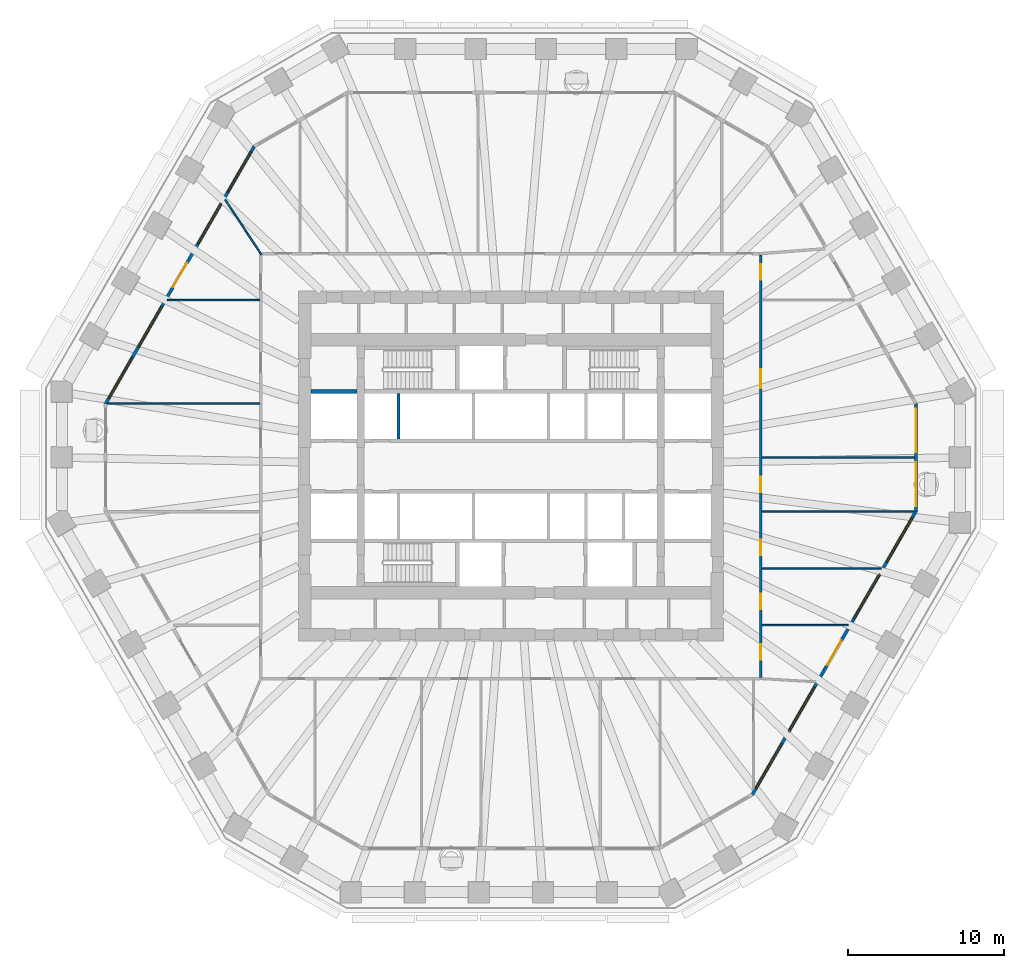
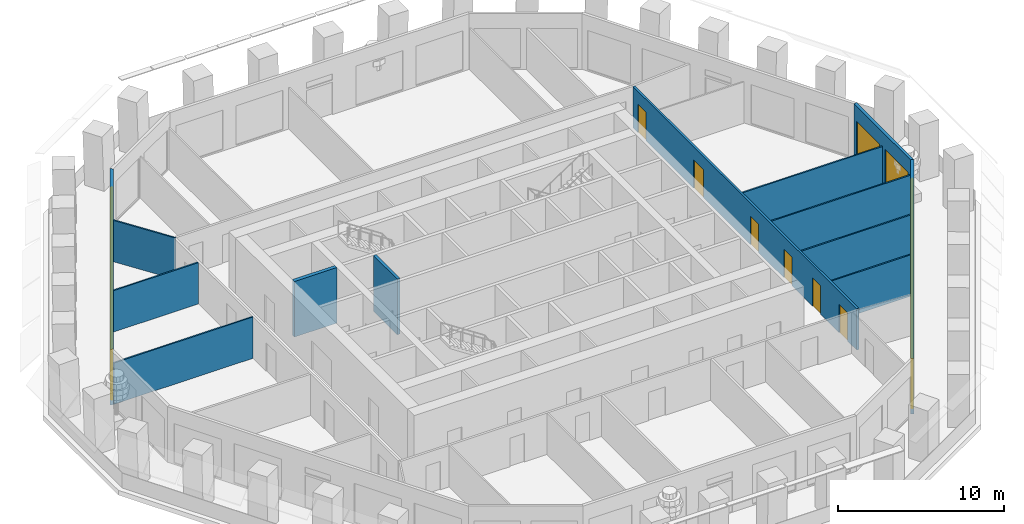
# One storey, part 6 of 13: 13 walls, 12 windows, 8 doors, 20 openings.
"""IFC4 building model written with IfcOpenShell, lengths in metres."""

import ifcopenshell
import ifcopenshell.guid

model = None  # the IFC model being written
_history = None  # IfcOwnerHistory: only IFC2X3 demands one
_inside = {}  # id of a spatial element -> (the spatial element, [elements in it])
_under = {}  # id of a project, library or spatial element -> (it, [spatial elements below it])
_declared = {}  # id of a project -> (the project, [libraries it declares])
_typed = {}  # id of a type object -> (the type object, [elements of that type])
_made_of = {}  # id of a material, layer set ... -> (it, [elements and type objects made of it])


def new_model(schema):
    """Start an empty IFC model of exactly this schema.

    Asked for "IFC4X3", IfcOpenShell would pick the latest addendum, in which some entities
    have other attributes; the version numbers below select the first issue.
    IFC2X3 requires an IfcOwnerHistory on every rooted entity: one is made here for all.
    """
    global model, _history
    if schema == "IFC4X3":
        model = ifcopenshell.file(schema_version=(4, 3, 0, 0))
    else:
        model = ifcopenshell.file(schema=schema)
    _inside.clear()
    _under.clear()
    _declared.clear()
    _typed.clear()
    _made_of.clear()
    _history = None
    if model.schema == "IFC2X3":
        org = make("IfcOrganization", Name="unknown")
        user = make(
            "IfcPersonAndOrganization",
            ThePerson=make("IfcPerson", FamilyName="unknown"),
            TheOrganization=org,
        )
        app = make(
            "IfcApplication",
            ApplicationDeveloper=org,
            Version="unknown",
            ApplicationFullName="unknown",
            ApplicationIdentifier="unknown",
        )
        _history = make(
            "IfcOwnerHistory",
            OwningUser=user,
            OwningApplication=app,
            ChangeAction="ADDED",
            CreationDate=0,
        )
    return model


def make(cls, **values):
    """One entity of the class cls with the attributes given. An attribute that is None is left unset."""
    return model.create_entity(
        cls, **{name: value for name, value in values.items() if value is not None}
    )


def rooted(cls, **values):
    """An entity with a GlobalId (a new one), such as an element, a storey or a relation."""
    return make(cls, GlobalId=ifcopenshell.guid.new(), OwnerHistory=_history, **values)


def si_unit(unit_type, name, prefix=None):
    """IfcSIUnit, for example si_unit("LENGTHUNIT", "METRE", prefix="MILLI")."""
    return make("IfcSIUnit", UnitType=unit_type, Prefix=prefix, Name=name)


def assignment(units):
    """IfcUnitAssignment: the units of a project."""
    return None if units is None else make("IfcUnitAssignment", Units=units)


def point(xyz):
    """IfcCartesianPoint."""
    return None if xyz is None else make("IfcCartesianPoint", Coordinates=xyz)


def direction(xyz):
    """IfcDirection."""
    return None if xyz is None else make("IfcDirection", DirectionRatios=xyz)


def frame(location, z_axis=None, x_axis=None):
    """IfcAxis2Placement3D, a coordinate frame: its origin and axes. An axis left out is left unset."""
    return make(
        "IfcAxis2Placement3D",
        Location=point(location),
        Axis=direction(z_axis),
        RefDirection=direction(x_axis),
    )


def frame_2d(location, x_axis=None):
    """IfcAxis2Placement2D, a coordinate frame in the plane: its origin and x axis."""
    return make(
        "IfcAxis2Placement2D", Location=point(location), RefDirection=direction(x_axis)
    )


def origin():
    """The frame at (0, 0, 0) with its axes left unset."""
    return frame((0.0, 0.0, 0.0))


def place(relative_to, where):
    """IfcLocalPlacement: puts the frame where relative to a parent placement (None: the world)."""
    return make(
        "IfcLocalPlacement", PlacementRelTo=relative_to, RelativePlacement=where
    )


def context(
    kind, dimensions, precision=None, world=None, true_north=None, identifier=None
):
    """IfcGeometricRepresentationContext, for example the 3D "Model" context."""
    return make(
        "IfcGeometricRepresentationContext",
        ContextIdentifier=identifier,
        ContextType=kind,
        CoordinateSpaceDimension=dimensions,
        Precision=precision,
        WorldCoordinateSystem=world,
        TrueNorth=true_north,
    )


def subcontext(parent, identifier, kind, view, scale=None):
    """IfcGeometricRepresentationSubContext, for example "Body" below "Model"."""
    return make(
        "IfcGeometricRepresentationSubContext",
        ContextIdentifier=identifier,
        ContextType=kind,
        ParentContext=parent,
        TargetScale=scale,
        TargetView=view,
    )


def project(units=None, contexts=None):
    """IfcProject with its units and contexts."""
    return rooted(
        "IfcProject",
        Name="project",
        RepresentationContexts=contexts,
        UnitsInContext=assignment(units),
    )


def spatial(cls, under=None, at=None, **own):
    """A site, building, storey or space (cls), placed at a placement, below another one or the project."""
    s = rooted(cls, ObjectPlacement=at, **own)
    if under is not None:
        _under.setdefault(under.id(), (under, []))[1].append(s)
    return s


def polyline(points):
    """IfcPolyline through the points."""
    return make("IfcPolyline", Points=[point(p) for p in points])


def profile(cls, at=None, kind="AREA", **sizes):
    """A parametric profile (cls). Its sizes go by their IFC names, for example OverallWidth=200.0."""
    return make(cls, ProfileType=kind, Position=at, **sizes)


def rectangle(**sizes):
    """IfcRectangleProfileDef."""
    return profile("IfcRectangleProfileDef", **sizes)


def outline(outer, holes=None, kind="AREA"):
    """IfcArbitraryClosedProfileDef: a profile drawn as a closed curve; with holes, ...WithVoids."""
    if holes is None:
        return make("IfcArbitraryClosedProfileDef", ProfileType=kind, OuterCurve=outer)
    return make(
        "IfcArbitraryProfileDefWithVoids",
        ProfileType=kind,
        OuterCurve=outer,
        InnerCurves=holes,
    )


def extrude(swept, where, along, depth):
    """IfcExtrudedAreaSolid: the profile swept, set in the frame where, extruded along a direction by depth."""
    return make(
        "IfcExtrudedAreaSolid",
        SweptArea=swept,
        Position=where,
        ExtrudedDirection=direction(along),
        Depth=depth,
    )


def shape(context_of_items, identifier, shape_type, items):
    """IfcShapeRepresentation: the items that make up one representation, for example the "Body"."""
    return make(
        "IfcShapeRepresentation",
        ContextOfItems=context_of_items,
        RepresentationIdentifier=identifier,
        RepresentationType=shape_type,
        Items=items,
    )


def material(Name=None, Category=None):
    """IfcMaterial."""
    return make("IfcMaterial", Name=Name, Category=Category)


def layer(
    of_material, thickness, ventilated=None, Name=None, Category=None, Priority=None
):
    """IfcMaterialLayer: one layer of a wall or slab, of a material (None: an air gap)."""
    return make(
        "IfcMaterialLayer",
        Material=of_material,
        LayerThickness=thickness,
        IsVentilated=ventilated,
        Name=Name,
        Category=Category,
        Priority=Priority,
    )


def layer_set(layers, Name=None):
    """IfcMaterialLayerSet."""
    return make("IfcMaterialLayerSet", MaterialLayers=layers, LayerSetName=Name)


def made_of(thing, what):
    """Note that an element or type object is made of a material, layer set ...; save() writes the relation."""
    if what is not None:
        _made_of.setdefault(what.id(), (what, []))[1].append(thing)
    return thing


def type_object(cls, material=None, **own):
    """A type object (cls), such as IfcWallType, which elements share."""
    return made_of(rooted(cls, **own), material)


def element(
    cls,
    number,
    at=None,
    inside=None,
    cuts=None,
    type_object=None,
    material=None,
    context=None,
    identifier="Body",
    shape_type=None,
    held_by="IfcProductDefinitionShape",
    body=None,
    shapes=None,
    **own,
):
    """One element of the class cls, such as IfcWall. Its Tag is "e" and its number.

    at: its placement. inside: the storey or other place that contains it. cuts: it is an
    opening in that element (IfcRelVoidsElement). A single representation is given by context,
    identifier, shape_type and body (its items); several are given by shapes. held_by: the class
    of the entity that holds the representations. save() writes the other relations.
    """
    e = rooted(cls, Tag="e%d" % number, ObjectPlacement=at, **own)
    if body is not None:
        shapes = [shape(context, identifier, shape_type, body)]
    if shapes is not None:
        e.Representation = make(held_by, Representations=shapes)
    if inside is not None:
        _inside.setdefault(inside.id(), (inside, []))[1].append(e)
    if cuts is not None:
        rooted(
            "IfcRelVoidsElement", RelatingBuildingElement=cuts, RelatedOpeningElement=e
        )
    if type_object is not None:
        _typed.setdefault(type_object.id(), (type_object, []))[1].append(e)
    return made_of(e, material)


def fill(opening, filler):
    """IfcRelFillsElement: the door or window that sits in an opening."""
    return rooted(
        "IfcRelFillsElement",
        RelatingOpeningElement=opening,
        RelatedBuildingElement=filler,
    )


def aggregate(whole, parts):
    """IfcRelAggregates: a whole, such as a stair, and the parts it consists of."""
    return rooted("IfcRelAggregates", RelatingObject=whole, RelatedObjects=parts)


def save(model, path):
    """Write the relations noted so far, then the file.

    IfcRelAggregates (storeys below a building ...), IfcRelContainedInSpatialStructure (elements
    in a storey), IfcRelDefinesByType, IfcRelAssociatesMaterial and IfcRelDeclares: one each for
    every whole, place, type object, material and project.
    """
    for whole, parts in _under.values():
        aggregate(whole, parts)
    for where, things in _inside.values():
        rooted(
            "IfcRelContainedInSpatialStructure",
            RelatedElements=things,
            RelatingStructure=where,
        )
    for kind, things in _typed.values():
        rooted("IfcRelDefinesByType", RelatedObjects=things, RelatingType=kind)
    for what, things in _made_of.values():
        rooted("IfcRelAssociatesMaterial", RelatedObjects=things, RelatingMaterial=what)
    for by, libraries in _declared.values():
        rooted("IfcRelDeclares", RelatingContext=by, RelatedDefinitions=libraries)
    model.write(path)


model = new_model("IFC4")

# Units and contexts
model_context = context("Model", 3, precision=1e-05, world=origin(), true_north=direction((0.0, 1.0)))
body_context = subcontext(model_context, "Body", "Model", "MODEL_VIEW")
ifc_project = project(units=[si_unit("LENGTHUNIT", "METRE"), si_unit("AREAUNIT", "SQUARE_METRE"), si_unit("VOLUMEUNIT", "CUBIC_METRE"), si_unit("PLANEANGLEUNIT", "RADIAN"), si_unit("MASSUNIT", "GRAM", prefix="KILO")], contexts=[model_context])

# Site, building, storey
site_placement = place(None, origin())
site = spatial("IfcSite", under=ifc_project, at=site_placement, CompositionType="ELEMENT")
building_placement = place(site_placement, origin())
building = spatial("IfcBuilding", under=site, at=building_placement, Name="Frailejon Research Tower", CompositionType="ELEMENT")
storey_placement = place(building_placement, frame((0.0, 0.0, 98.39990234375)))
storey = spatial("IfcBuildingStorey", under=building, at=storey_placement, Name="L21", CompositionType="ELEMENT", Elevation=98.39990234375)

# Wall, openings, doors
ifc_material_1 = material(Name="Gypsum board and masonry partition", Category="masonry")
ifc_layer_1 = layer(ifc_material_1, 0.14990234375)
ifc_layer_set_1 = layer_set([ifc_layer_1], Name="Corridor wall EI 60, gypsum on steel studs 150")
wall_type_1 = type_object("IfcWallType", Name="Corridor wall EI 60, gypsum on steel studs 150", PredefinedType="PARTITIONING", material=ifc_layer_set_1)
wall_1_placement = place(storey_placement, frame((16.0, -13.52490234375, 0.0), z_axis=(0.0, 0.0, 1.0), x_axis=(0.0, 1.0, 0.0)))
wall_1 = element("IfcWall", 1, at=wall_1_placement, inside=storey, type_object=wall_type_1, Name="T:IW:L21:001", PredefinedType="PARTITIONING", context=body_context, shape_type="SweptSolid", body=[
    extrude(rectangle(XDim=27.0498046875, YDim=0.14990234375, at=frame_2d((13.52490234375, 0.0))), origin(), (0.0, 0.0, 1.0), 3.050048828125),
])
opening_1_placement = place(wall_1_placement, frame((18.513916015625, 0.0, 0.0)))
opening_1 = element("IfcOpeningElement", 2, at=opening_1_placement, cuts=wall_1, Name="Opening D1551", PredefinedType="OPENING", context=body_context, shape_type="SweptSolid", body=[
    extrude(rectangle(XDim=1.199951171875, YDim=2.10009765625, at=frame_2d((0.60009765625, 1.050048828125))), frame((0.0, 0.0849609375, 0.0), z_axis=(0.0, -1.0, 0.0), x_axis=(1.0, 0.0, 0.0)), (0.0, 0.0, 1.0), 0.169921875),
])
opening_2_placement = place(wall_1_placement, frame((25.456298828125, 0.0, 0.0)))
opening_2 = element("IfcOpeningElement", 3, at=opening_2_placement, cuts=wall_1, Name="Opening D1552", PredefinedType="OPENING", context=body_context, shape_type="SweptSolid", body=[
    extrude(rectangle(XDim=1.0, YDim=2.10009765625, at=frame_2d((0.5, 1.050048828125))), frame((0.0, 0.0849609375, 0.0), z_axis=(0.0, -1.0, 0.0), x_axis=(1.0, 0.0, 0.0)), (0.0, 0.0, 1.0), 0.169921875),
])
opening_3_placement = place(wall_1_placement, frame((1.1337890625, 0.0, 0.0)))
opening_3 = element("IfcOpeningElement", 4, at=opening_3_placement, cuts=wall_1, Name="Opening D1571", PredefinedType="OPENING", context=body_context, shape_type="SweptSolid", body=[
    extrude(rectangle(XDim=1.0, YDim=2.10009765625, at=frame_2d((0.5, 1.050048828125))), frame((0.0, 0.0849609375, 0.0), z_axis=(0.0, -1.0, 0.0), x_axis=(1.0, 0.0, 0.0)), (0.0, 0.0, 1.0), 0.169921875),
])
opening_4_placement = place(wall_1_placement, frame((4.370361328125, 0.0, 0.0)))
opening_4 = element("IfcOpeningElement", 5, at=opening_4_placement, cuts=wall_1, Name="Opening D1572", PredefinedType="OPENING", context=body_context, shape_type="SweptSolid", body=[
    extrude(rectangle(XDim=1.0, YDim=2.10009765625, at=frame_2d((0.5, 1.050048828125))), frame((0.0, 0.0849609375, 0.0), z_axis=(0.0, -1.0, 0.0), x_axis=(1.0, 0.0, 0.0)), (0.0, 0.0, 1.0), 0.169921875),
])
opening_5_placement = place(wall_1_placement, frame((7.812255859375, 0.0, 0.0)))
opening_5 = element("IfcOpeningElement", 6, at=opening_5_placement, cuts=wall_1, Name="Opening D1573", PredefinedType="OPENING", context=body_context, shape_type="SweptSolid", body=[
    extrude(rectangle(XDim=1.0, YDim=2.10009765625, at=frame_2d((0.5, 1.050048828125))), frame((0.0, 0.0849609375, 0.0), z_axis=(0.0, -1.0, 0.0), x_axis=(1.0, 0.0, 0.0)), (0.0, 0.0, 1.0), 0.169921875),
])
opening_6_placement = place(wall_1_placement, frame((11.84619140625, 0.0, 0.0)))
opening_6 = element("IfcOpeningElement", 7, at=opening_6_placement, cuts=wall_1, Name="Opening D1574", PredefinedType="OPENING", context=body_context, shape_type="SweptSolid", body=[
    extrude(rectangle(XDim=1.0, YDim=2.10009765625, at=frame_2d((0.5, 1.050048828125))), frame((0.0, 0.0849609375, 0.0), z_axis=(0.0, -1.0, 0.0), x_axis=(1.0, 0.0, 0.0)), (0.0, 0.0, 1.0), 0.169921875),
])
ifc_material_2 = material(Name="Timber door leaf", Category="wood")
door_type_1 = type_object("IfcDoorType", Name="Door single leaf, timber, steel frame 1000", OperationType="NOTDEFINED", PredefinedType="DOOR", material=ifc_material_2)
door_1_placement = place(opening_2_placement, origin())
door_1 = element("IfcDoor", 8, at=door_1_placement, inside=storey, type_object=door_type_1, Name="D1552", OperationType="SINGLE_SWING_LEFT", OverallHeight=2.10009765625, OverallWidth=1.0, PredefinedType="DOOR", context=body_context, shape_type="SweptSolid", body=[
    extrude(rectangle(XDim=1.0, YDim=2.10009765625, at=frame_2d((0.5, 1.050048828125))), frame((0.0, 0.02490234375, 0.0), z_axis=(0.0, -1.0, 0.0), x_axis=(1.0, 0.0, 0.0)), (0.0, 0.0, 1.0), 0.050048828125),
])
fill(opening_2, door_1)
door_2_placement = place(opening_3_placement, origin())
door_2 = element("IfcDoor", 9, at=door_2_placement, inside=storey, type_object=door_type_1, Name="D1571", OperationType="SINGLE_SWING_RIGHT", OverallHeight=2.10009765625, OverallWidth=1.0, PredefinedType="DOOR", context=body_context, shape_type="SweptSolid", body=[
    extrude(rectangle(XDim=1.0, YDim=2.10009765625, at=frame_2d((0.5, 1.050048828125))), frame((0.0, 0.02490234375, 0.0), z_axis=(0.0, -1.0, 0.0), x_axis=(1.0, 0.0, 0.0)), (0.0, 0.0, 1.0), 0.050048828125),
])
fill(opening_3, door_2)
door_3_placement = place(opening_4_placement, origin())
door_3 = element("IfcDoor", 10, at=door_3_placement, inside=storey, type_object=door_type_1, Name="D1572", OperationType="SINGLE_SWING_RIGHT", OverallHeight=2.10009765625, OverallWidth=1.0, PredefinedType="DOOR", context=body_context, shape_type="SweptSolid", body=[
    extrude(rectangle(XDim=1.0, YDim=2.10009765625, at=frame_2d((0.5, 1.050048828125))), frame((0.0, 0.02490234375, 0.0), z_axis=(0.0, -1.0, 0.0), x_axis=(1.0, 0.0, 0.0)), (0.0, 0.0, 1.0), 0.050048828125),
])
fill(opening_4, door_3)
door_4_placement = place(opening_5_placement, origin())
door_4 = element("IfcDoor", 11, at=door_4_placement, inside=storey, type_object=door_type_1, Name="D1573", OperationType="SINGLE_SWING_RIGHT", OverallHeight=2.10009765625, OverallWidth=1.0, PredefinedType="DOOR", context=body_context, shape_type="SweptSolid", body=[
    extrude(rectangle(XDim=1.0, YDim=2.10009765625, at=frame_2d((0.5, 1.050048828125))), frame((0.0, 0.02490234375, 0.0), z_axis=(0.0, -1.0, 0.0), x_axis=(1.0, 0.0, 0.0)), (0.0, 0.0, 1.0), 0.050048828125),
])
fill(opening_5, door_4)
door_5_placement = place(opening_6_placement, origin())
door_5 = element("IfcDoor", 12, at=door_5_placement, inside=storey, type_object=door_type_1, Name="D1574", OperationType="SINGLE_SWING_LEFT", OverallHeight=2.10009765625, OverallWidth=1.0, PredefinedType="DOOR", context=body_context, shape_type="SweptSolid", body=[
    extrude(rectangle(XDim=1.0, YDim=2.10009765625, at=frame_2d((0.5, 1.050048828125))), frame((0.0, 0.02490234375, 0.0), z_axis=(0.0, -1.0, 0.0), x_axis=(1.0, 0.0, 0.0)), (0.0, 0.0, 1.0), 0.050048828125),
])
fill(opening_6, door_5)
ifc_material_3 = material(Name="Timber door leaf", Category="wood")
door_type_2 = type_object("IfcDoorType", Name="Door single leaf, timber, steel frame 1200", OperationType="NOTDEFINED", PredefinedType="DOOR", material=ifc_material_3)
door_6_placement = place(opening_1_placement, origin())
door_6 = element("IfcDoor", 13, at=door_6_placement, inside=storey, type_object=door_type_2, Name="D1551", OperationType="DOUBLE_DOOR_SINGLE_SWING", OverallHeight=2.10009765625, OverallWidth=1.199951171875, PredefinedType="DOOR", context=body_context, shape_type="SweptSolid", body=[
    extrude(rectangle(XDim=1.199951171875, YDim=2.10009765625, at=frame_2d((0.60009765625, 1.050048828125))), frame((0.0, 0.02490234375, 0.0), z_axis=(0.0, -1.0, 0.0), x_axis=(1.0, 0.0, 0.0)), (0.0, 0.0, 1.0), 0.050048828125),
])
fill(opening_1, door_6)

# Walls
ifc_material_4 = material(Name="Gypsum board and masonry partition", Category="masonry")
ifc_layer_2 = layer(ifc_material_4, 0.10009765625)
ifc_layer_set_2 = layer_set([ifc_layer_2], Name="Partition, gypsum on steel studs 100")
wall_type_2 = type_object("IfcWallType", Name="Partition, gypsum on steel studs 100", PredefinedType="PARTITIONING", material=ifc_layer_set_2)
wall_2_placement = place(storey_placement, frame((-21.986328125, 10.624755859375, 0.0), z_axis=(0.0, 0.0, 1.0), x_axis=(1.0, 0.0, 0.0)))
element("IfcWall", 14, at=wall_2_placement, inside=storey, type_object=wall_type_2, Name="T:IW:L21:011", PredefinedType="PARTITIONING", context=body_context, shape_type="SweptSolid", body=[
    extrude(rectangle(XDim=5.911376953125, YDim=0.10009765625, at=frame_2d((2.95556640625, 0.0))), origin(), (0.0, 0.0, 1.0), 3.050048828125),
])
wall_3_placement = place(storey_placement, frame((16.074951171875, 0.552978515625, 0.0), z_axis=(0.0, 0.0, 1.0), x_axis=(1.0, 0.0, 0.0)))
element("IfcWall", 15, at=wall_3_placement, inside=storey, type_object=wall_type_2, Name="T:IW:L21:013", PredefinedType="PARTITIONING", context=body_context, shape_type="SweptSolid", body=[
    extrude(rectangle(XDim=9.757080078125, YDim=0.10009765625, at=frame_2d((4.87841796875, 0.0))), origin(), (0.0, 0.0, 1.0), 3.050048828125),
])
wall_4_placement = place(storey_placement, frame((-18.279296875, 17.045654296875, 0.0), z_axis=(0.0, 0.0, 1.0), x_axis=(0.551723247362, -0.834027252745, 0.0)))
element("IfcWall", 16, at=wall_4_placement, inside=storey, type_object=wall_type_2, Name="T:IW:L21:018", PredefinedType="PARTITIONING", context=body_context, shape_type="SweptSolid", body=[
    extrude(rectangle(XDim=4.20654296875, YDim=0.10009765625, at=frame_2d((2.103271484375, 0.0))), origin(), (0.0, 0.0, 1.0), 3.050048828125),
])
wall_5_placement = place(storey_placement, frame((-25.80126953125, 4.01708984375, 0.0), z_axis=(0.0, 0.0, 1.0), x_axis=(1.0, 0.0, 0.0)))
element("IfcWall", 17, at=wall_5_placement, inside=storey, type_object=wall_type_2, Name="T:IW:L21:019", PredefinedType="PARTITIONING", context=body_context, shape_type="SweptSolid", body=[
    extrude(rectangle(XDim=9.726318359375, YDim=0.10009765625, at=frame_2d((4.86328125, 0.0))), origin(), (0.0, 0.0, 1.0), 3.050048828125),
])
wall_6_placement = place(storey_placement, frame((16.074951171875, -10.18212890625, 0.0), z_axis=(0.0, 0.0, 1.0), x_axis=(1.0, 0.0, 0.0)))
element("IfcWall", 18, at=wall_6_placement, inside=storey, type_object=wall_type_2, Name="T:IW:L21:026", PredefinedType="PARTITIONING", context=body_context, shape_type="SweptSolid", body=[
    extrude(rectangle(XDim=5.5283203125, YDim=0.10009765625, at=frame_2d((2.76416015625, 0.0))), origin(), (0.0, 0.0, 1.0), 3.050048828125),
])
wall_7_placement = place(storey_placement, frame((16.074951171875, -6.546630859375, 0.0), z_axis=(0.0, 0.0, 1.0), x_axis=(1.0, 0.0, 0.0)))
element("IfcWall", 19, at=wall_7_placement, inside=storey, type_object=wall_type_2, Name="T:IW:L21:027", PredefinedType="PARTITIONING", context=body_context, shape_type="SweptSolid", body=[
    extrude(rectangle(XDim=7.627197265625, YDim=0.10009765625, at=frame_2d((3.8134765625, 0.0))), origin(), (0.0, 0.0, 1.0), 3.050048828125),
])
wall_8_placement = place(storey_placement, frame((16.074951171875, -2.910888671875, 0.0), z_axis=(0.0, 0.0, 1.0), x_axis=(1.0, 0.0, 0.0)))
element("IfcWall", 20, at=wall_8_placement, inside=storey, type_object=wall_type_2, Name="T:IW:L21:028", PredefinedType="PARTITIONING", context=body_context, shape_type="SweptSolid", body=[
    extrude(rectangle(XDim=9.726318359375, YDim=0.10009765625, at=frame_2d((4.86328125, 0.0))), origin(), (0.0, 0.0, 1.0), 3.050048828125),
])
ifc_material_5 = material(Name="Concrete C70/85", Category="concrete")
ifc_layer_3 = layer(ifc_material_5, 0.199951171875)
ifc_layer_set_3 = layer_set([ifc_layer_3], Name="Shaft wall 200 C70/85")
wall_type_3 = type_object("IfcWallType", Name="Shaft wall 200 C70/85", PredefinedType="SOLIDWALL", material=ifc_layer_set_3)
wall_9_placement = place(storey_placement, frame((-7.199951171875, 1.75, 0.0), z_axis=(0.0, 0.0, 1.0), x_axis=(0.0, 1.0, 0.0)))
element("IfcWall", 21, at=wall_9_placement, inside=storey, type_object=wall_type_3, Name="Shaft wall", PredefinedType="SOLIDWALL", context=body_context, shape_type="SweptSolid", body=[
    extrude(rectangle(XDim=2.89990234375, YDim=0.199951171875, at=frame_2d((1.449951171875, 0.0))), origin(), (0.0, 0.0, 1.0), 4.10009765625),
])
ifc_material_6 = material(Name="Concrete C70/85", Category="concrete")
ifc_layer_4 = layer(ifc_material_6, 0.25)
ifc_layer_set_4 = layer_set([ifc_layer_4], Name="Shaft wall 250 C70/85")
wall_type_4 = type_object("IfcWallType", Name="Shaft wall 250 C70/85", PredefinedType="SOLIDWALL", material=ifc_layer_set_4)
wall_10_placement = place(storey_placement, frame((-12.800048828125, 4.77490234375, 0.0), z_axis=(0.0, 0.0, 1.0), x_axis=(1.0, 0.0, 0.0)))
element("IfcWall", 22, at=wall_10_placement, inside=storey, type_object=wall_type_4, Name="Shaft wall", PredefinedType="SOLIDWALL", context=body_context, shape_type="SweptSolid", body=[
    extrude(rectangle(XDim=2.949951171875, YDim=0.25, at=frame_2d((1.47509765625, 0.0))), origin(), (0.0, 0.0, 1.0), 4.10009765625),
])

# Wall, openings, windows
ifc_material_7 = material(Name="Concrete C40/50 precast window wall panel", Category="concrete")
ifc_layer_5 = layer(ifc_material_7, 0.199951171875)
ifc_layer_set_5 = layer_set([ifc_layer_5], Name="Window wall 200")
wall_type_5 = type_object("IfcWallType", Name="Window wall 200", PredefinedType="SOLIDWALL", material=ifc_layer_set_5)
wall_11_placement = place(storey_placement, frame((25.93212890625, -2.88427734375, 0.0), z_axis=(0.0, 0.0, 1.0), x_axis=(0.0, 1.0, 0.0)))
wall_11 = element("IfcWall", 23, at=wall_11_placement, inside=storey, type_object=wall_type_5, Name="Exterior wall L21", PredefinedType="SOLIDWALL", context=body_context, shape_type="SweptSolid", body=[
    extrude(outline(polyline([(-0.02685546875, -0.10009765625), (1.1279296875, -0.10009765625), (2.28271484375, -0.10009765625), (3.4375, -0.10009765625), (4.592041015625, -0.10009765625), (5.746826171875, -0.10009765625), (6.901611328125, -0.10009765625), (6.847900390625, 0.10009765625), (5.7109375, 0.10009765625), (4.57421875, 0.10009765625), (3.4375, 0.10009765625), (2.300537109375, 0.10009765625), (1.16357421875, 0.10009765625), (0.02685546875, 0.10009765625), (-0.02685546875, -0.10009765625)])), origin(), (0.0, 0.0, 1.0), 4.10009765625),
])
opening_7_placement = place(wall_11_placement, frame((0.318603515625, 0.0, 0.10009765625)))
opening_7 = element("IfcOpeningElement", 24, at=opening_7_placement, cuts=wall_11, Name="Opening W3", PredefinedType="OPENING", context=body_context, shape_type="SweptSolid", body=[
    extrude(rectangle(XDim=2.800048828125, YDim=2.89990234375, at=frame_2d((1.39990234375, 1.449951171875))), frame((0.0, 0.10986328125, 0.0), z_axis=(0.0, -1.0, 0.0), x_axis=(1.0, 0.0, 0.0)), (0.0, 0.0, 1.0), 0.219970703125),
])
opening_8_placement = place(wall_11_placement, frame((3.756103515625, 0.0, 0.10009765625)))
opening_8 = element("IfcOpeningElement", 25, at=opening_8_placement, cuts=wall_11, Name="Opening W3", PredefinedType="OPENING", context=body_context, shape_type="SweptSolid", body=[
    extrude(rectangle(XDim=2.800048828125, YDim=2.89990234375, at=frame_2d((1.39990234375, 1.449951171875))), frame((0.0, 0.10986328125, 0.0), z_axis=(0.0, -1.0, 0.0), x_axis=(1.0, 0.0, 0.0)), (0.0, 0.0, 1.0), 0.219970703125),
])
ifc_material_8 = material(Name="Aluminium framed double glazing", Category="aluminium")
window_type_1 = type_object("IfcWindowType", Name="Window 2800x2900", PartitioningType="SINGLE_PANEL", PredefinedType="WINDOW", material=ifc_material_8)
window_1_placement = place(opening_7_placement, origin())
window_1 = element("IfcWindow", 26, at=window_1_placement, inside=storey, type_object=window_type_1, Name="Window L21", OverallHeight=2.89990234375, OverallWidth=2.800048828125, PartitioningType="SINGLE_PANEL", PredefinedType="WINDOW", context=body_context, shape_type="SweptSolid", body=[
    extrude(rectangle(XDim=2.800048828125, YDim=2.89990234375, at=frame_2d((1.39990234375, 1.449951171875))), frame((0.0, 0.030029296875, 0.0), z_axis=(0.0, -1.0, 0.0), x_axis=(1.0, 0.0, 0.0)), (0.0, 0.0, 1.0), 0.06005859375),
])
fill(opening_7, window_1)
window_2_placement = place(opening_8_placement, origin())
window_2 = element("IfcWindow", 27, at=window_2_placement, inside=storey, type_object=window_type_1, Name="Window L21", OverallHeight=2.89990234375, OverallWidth=2.800048828125, PartitioningType="SINGLE_PANEL", PredefinedType="WINDOW", context=body_context, shape_type="SweptSolid", body=[
    extrude(rectangle(XDim=2.800048828125, YDim=2.89990234375, at=frame_2d((1.39990234375, 1.449951171875))), frame((0.0, 0.030029296875, 0.0), z_axis=(0.0, -1.0, 0.0), x_axis=(1.0, 0.0, 0.0)), (0.0, 0.0, 1.0), 0.06005859375),
])
fill(opening_8, window_2)

# Wall, openings, door, windows
wall_12_placement = place(storey_placement, frame((-16.421875, 20.462646484375, 0.0), z_axis=(0.0, 0.0, 1.0), x_axis=(-0.500001707189, -0.866024418136, 0.0)))
wall_12 = element("IfcWall", 28, at=wall_12_placement, inside=storey, type_object=wall_type_5, Name="Exterior wall L21", PredefinedType="SOLIDWALL", context=body_context, shape_type="SweptSolid", body=[
    extrude(outline(polyline([(-0.02685546875, -0.10009765625), (0.97705078125, -0.10009765625), (1.98095703125, -0.10009765625), (2.98486328125, -0.10009765625), (3.98876953125, -0.10009765625), (4.99267578125, -0.10009765625), (5.99658203125, -0.10009765625), (7.00048828125, -0.10009765625), (8.00439453125, -0.10009765625), (9.00830078125, -0.10009765625), (10.01220703125, -0.10009765625), (11.01611328125, -0.10009765625), (12.02001953125, -0.10009765625), (13.02392578125, -0.10009765625), (14.02783203125, -0.10009765625), (15.03173828125, -0.10009765625), (16.03564453125, -0.10009765625), (17.03955078125, -0.10009765625), (18.04345703125, -0.10009765625), (19.04736328125, -0.10009765625), (18.99365234375, 0.10009765625), (17.995361328125, 0.10009765625), (16.9970703125, 0.10009765625), (15.998779296875, 0.10009765625), (15.000732421875, 0.10009765625), (14.00244140625, 0.10009765625), (13.004150390625, 0.10009765625), (12.005859375, 0.10009765625), (11.007568359375, 0.10009765625), (10.00927734375, 0.10009765625), (9.01123046875, 0.10009765625), (8.012939453125, 0.10009765625), (7.0146484375, 0.10009765625), (6.016357421875, 0.10009765625), (5.01806640625, 0.10009765625), (4.019775390625, 0.10009765625), (3.021728515625, 0.10009765625), (2.0234375, 0.10009765625), (1.025146484375, 0.10009765625), (0.02685546875, 0.10009765625), (-0.02685546875, -0.10009765625)])), origin(), (0.0, 0.0, 1.0), 4.10009765625),
])
opening_9_placement = place(wall_12_placement, frame((0.402099609375, 0.0, 0.10009765625)))
opening_9 = element("IfcOpeningElement", 29, at=opening_9_placement, cuts=wall_12, Name="Opening W4", PredefinedType="OPENING", context=body_context, shape_type="SweptSolid", body=[
    extrude(rectangle(XDim=3.0, YDim=2.89990234375, at=frame_2d((1.5, 1.449951171875))), frame((0.0, 0.10986328125, 0.0), z_axis=(0.0, -1.0, 0.0), x_axis=(1.0, 0.0, 0.0)), (0.0, 0.0, 1.0), 0.219970703125),
])
opening_10_placement = place(wall_12_placement, frame((4.206298828125, 0.0, 0.10009765625)))
opening_10 = element("IfcOpeningElement", 30, at=opening_10_placement, cuts=wall_12, Name="Opening W4", PredefinedType="OPENING", context=body_context, shape_type="SweptSolid", body=[
    extrude(rectangle(XDim=3.0, YDim=2.89990234375, at=frame_2d((1.5, 1.449951171875))), frame((0.0, 0.10986328125, 0.0), z_axis=(0.0, -1.0, 0.0), x_axis=(1.0, 0.0, 0.0)), (0.0, 0.0, 1.0), 0.219970703125),
])
opening_11_placement = place(wall_12_placement, frame((8.6103515625, 0.0, 0.0)))
opening_11 = element("IfcOpeningElement", 31, at=opening_11_placement, cuts=wall_12, Name="Opening LG21-3", PredefinedType="OPENING", context=body_context, shape_type="SweptSolid", body=[
    extrude(rectangle(XDim=1.800048828125, YDim=2.39990234375, at=frame_2d((0.89990234375, 1.199951171875))), frame((0.0, 0.10986328125, 0.0), z_axis=(0.0, -1.0, 0.0), x_axis=(1.0, 0.0, 0.0)), (0.0, 0.0, 1.0), 0.219970703125),
])
opening_12_placement = place(wall_12_placement, frame((8.6103515625, 0.0, 2.550048828125)))
opening_12 = element("IfcOpeningElement", 32, at=opening_12_placement, cuts=wall_12, Name="Opening W1", PredefinedType="OPENING", context=body_context, shape_type="SweptSolid", body=[
    extrude(rectangle(XDim=1.800048828125, YDim=0.449951171875, at=frame_2d((0.89990234375, 0.22509765625))), frame((0.0, 0.10986328125, 0.0), z_axis=(0.0, -1.0, 0.0), x_axis=(1.0, 0.0, 0.0)), (0.0, 0.0, 1.0), 0.219970703125),
])
opening_13_placement = place(wall_12_placement, frame((11.814453125, 0.0, 0.10009765625)))
opening_13 = element("IfcOpeningElement", 33, at=opening_13_placement, cuts=wall_12, Name="Opening W4", PredefinedType="OPENING", context=body_context, shape_type="SweptSolid", body=[
    extrude(rectangle(XDim=3.0, YDim=2.89990234375, at=frame_2d((1.5, 1.449951171875))), frame((0.0, 0.10986328125, 0.0), z_axis=(0.0, -1.0, 0.0), x_axis=(1.0, 0.0, 0.0)), (0.0, 0.0, 1.0), 0.219970703125),
])
opening_14_placement = place(wall_12_placement, frame((15.618408203125, 0.0, 0.10009765625)))
opening_14 = element("IfcOpeningElement", 34, at=opening_14_placement, cuts=wall_12, Name="Opening W4", PredefinedType="OPENING", context=body_context, shape_type="SweptSolid", body=[
    extrude(rectangle(XDim=3.0, YDim=2.89990234375, at=frame_2d((1.5, 1.449951171875))), frame((0.0, 0.10986328125, 0.0), z_axis=(0.0, -1.0, 0.0), x_axis=(1.0, 0.0, 0.0)), (0.0, 0.0, 1.0), 0.219970703125),
])
ifc_material_9 = material(Name="Aluminium framed glazed door leaf", Category="aluminium")
door_type_3 = type_object("IfcDoorType", Name="Loggia door 1800x2400", OperationType="DOUBLE_DOOR_SINGLE_SWING", PredefinedType="DOOR", material=ifc_material_9)
door_7_placement = place(opening_11_placement, origin())
door_7 = element("IfcDoor", 35, at=door_7_placement, inside=storey, type_object=door_type_3, Name="Door LG21-3", OperationType="DOUBLE_DOOR_SINGLE_SWING", OverallHeight=2.39990234375, OverallWidth=1.800048828125, PredefinedType="DOOR", context=body_context, shape_type="SweptSolid", body=[
    extrude(rectangle(XDim=1.800048828125, YDim=2.39990234375, at=frame_2d((0.89990234375, 1.199951171875))), frame((0.0, 0.02490234375, 0.0), z_axis=(0.0, -1.0, 0.0), x_axis=(1.0, 0.0, 0.0)), (0.0, 0.0, 1.0), 0.050048828125),
])
fill(opening_11, door_7)
ifc_material_10 = material(Name="Aluminium framed double glazing", Category="aluminium")
window_type_2 = type_object("IfcWindowType", Name="Window 1800x450", PartitioningType="SINGLE_PANEL", PredefinedType="WINDOW", material=ifc_material_10)
window_3_placement = place(opening_12_placement, origin())
window_3 = element("IfcWindow", 36, at=window_3_placement, inside=storey, type_object=window_type_2, Name="Window L21", OverallHeight=0.449951171875, OverallWidth=1.800048828125, PartitioningType="SINGLE_PANEL", PredefinedType="WINDOW", context=body_context, shape_type="SweptSolid", body=[
    extrude(rectangle(XDim=1.800048828125, YDim=0.449951171875, at=frame_2d((0.89990234375, 0.22509765625))), frame((0.0, 0.030029296875, 0.0), z_axis=(0.0, -1.0, 0.0), x_axis=(1.0, 0.0, 0.0)), (0.0, 0.0, 1.0), 0.06005859375),
])
fill(opening_12, window_3)
ifc_material_11 = material(Name="Aluminium framed double glazing", Category="aluminium")
window_type_3 = type_object("IfcWindowType", Name="Window 3000x2900", PartitioningType="SINGLE_PANEL", PredefinedType="WINDOW", material=ifc_material_11)
window_4_placement = place(opening_9_placement, origin())
window_4 = element("IfcWindow", 37, at=window_4_placement, inside=storey, type_object=window_type_3, Name="Window L21", OverallHeight=2.89990234375, OverallWidth=3.0, PartitioningType="SINGLE_PANEL", PredefinedType="WINDOW", context=body_context, shape_type="SweptSolid", body=[
    extrude(rectangle(XDim=3.0, YDim=2.89990234375, at=frame_2d((1.5, 1.449951171875))), frame((0.0, 0.030029296875, 0.0), z_axis=(0.0, -1.0, 0.0), x_axis=(1.0, 0.0, 0.0)), (0.0, 0.0, 1.0), 0.06005859375),
])
fill(opening_9, window_4)
window_5_placement = place(opening_10_placement, origin())
window_5 = element("IfcWindow", 38, at=window_5_placement, inside=storey, type_object=window_type_3, Name="Window L21", OverallHeight=2.89990234375, OverallWidth=3.0, PartitioningType="SINGLE_PANEL", PredefinedType="WINDOW", context=body_context, shape_type="SweptSolid", body=[
    extrude(rectangle(XDim=3.0, YDim=2.89990234375, at=frame_2d((1.5, 1.449951171875))), frame((0.0, 0.030029296875, 0.0), z_axis=(0.0, -1.0, 0.0), x_axis=(1.0, 0.0, 0.0)), (0.0, 0.0, 1.0), 0.06005859375),
])
fill(opening_10, window_5)
window_6_placement = place(opening_13_placement, origin())
window_6 = element("IfcWindow", 39, at=window_6_placement, inside=storey, type_object=window_type_3, Name="Window L21", OverallHeight=2.89990234375, OverallWidth=3.0, PartitioningType="SINGLE_PANEL", PredefinedType="WINDOW", context=body_context, shape_type="SweptSolid", body=[
    extrude(rectangle(XDim=3.0, YDim=2.89990234375, at=frame_2d((1.5, 1.449951171875))), frame((0.0, 0.030029296875, 0.0), z_axis=(0.0, -1.0, 0.0), x_axis=(1.0, 0.0, 0.0)), (0.0, 0.0, 1.0), 0.06005859375),
])
fill(opening_13, window_6)
window_7_placement = place(opening_14_placement, origin())
window_7 = element("IfcWindow", 40, at=window_7_placement, inside=storey, type_object=window_type_3, Name="Window L21", OverallHeight=2.89990234375, OverallWidth=3.0, PartitioningType="SINGLE_PANEL", PredefinedType="WINDOW", context=body_context, shape_type="SweptSolid", body=[
    extrude(rectangle(XDim=3.0, YDim=2.89990234375, at=frame_2d((1.5, 1.449951171875))), frame((0.0, 0.030029296875, 0.0), z_axis=(0.0, -1.0, 0.0), x_axis=(1.0, 0.0, 0.0)), (0.0, 0.0, 1.0), 0.06005859375),
])
fill(opening_14, window_7)

wall_13_placement = place(storey_placement, frame((15.4638671875, -21.015869140625, 0.0), z_axis=(0.0, 0.0, 1.0), x_axis=(0.499999366442, 0.866025769569, 0.0)))
wall_13 = element("IfcWall", 41, at=wall_13_placement, inside=storey, type_object=wall_type_5, Name="Exterior wall L21", PredefinedType="SOLIDWALL", context=body_context, shape_type="SweptSolid", body=[
    extrude(outline(polyline([(-0.02685546875, -0.10009765625), (1.022705078125, -0.10009765625), (2.072265625, -0.10009765625), (3.12158203125, -0.10009765625), (4.171142578125, -0.10009765625), (5.220703125, -0.10009765625), (6.270263671875, -0.10009765625), (7.31982421875, -0.10009765625), (8.369140625, -0.10009765625), (9.418701171875, -0.10009765625), (10.46826171875, -0.10009765625), (11.517822265625, -0.10009765625), (12.5673828125, -0.10009765625), (13.61669921875, -0.10009765625), (14.666259765625, -0.10009765625), (15.7158203125, -0.10009765625), (16.765380859375, -0.10009765625), (17.81494140625, -0.10009765625), (18.8642578125, -0.10009765625), (19.913818359375, -0.10009765625), (20.96337890625, -0.10009765625), (20.90966796875, 0.10009765625), (19.865478515625, 0.10009765625), (18.8212890625, 0.10009765625), (17.77734375, 0.10009765625), (16.733154296875, 0.10009765625), (15.68896484375, 0.10009765625), (14.644775390625, 0.10009765625), (13.6005859375, 0.10009765625), (12.556640625, 0.10009765625), (11.512451171875, 0.10009765625), (10.46826171875, 0.10009765625), (9.424072265625, 0.10009765625), (8.3798828125, 0.10009765625), (7.3359375, 0.10009765625), (6.291748046875, 0.10009765625), (5.24755859375, 0.10009765625), (4.203369140625, 0.10009765625), (3.1591796875, 0.10009765625), (2.115234375, 0.10009765625), (1.071044921875, 0.10009765625), (0.02685546875, 0.10009765625), (-0.02685546875, -0.10009765625)])), origin(), (0.0, 0.0, 1.0), 4.10009765625),
])
opening_15_placement = place(wall_13_placement, frame((0.443603515625, 0.0, 0.10009765625)))
opening_15 = element("IfcOpeningElement", 42, at=opening_15_placement, cuts=wall_13, Name="Opening W5", PredefinedType="OPENING", context=body_context, shape_type="SweptSolid", body=[
    extrude(rectangle(XDim=3.300048828125, YDim=2.89990234375, at=frame_2d((1.64990234375, 1.449951171875))), frame((0.0, 0.10986328125, 0.0), z_axis=(0.0, -1.0, 0.0), x_axis=(1.0, 0.0, 0.0)), (0.0, 0.0, 1.0), 0.219970703125),
])
opening_16_placement = place(wall_13_placement, frame((4.631103515625, 0.0, 0.10009765625)))
opening_16 = element("IfcOpeningElement", 43, at=opening_16_placement, cuts=wall_13, Name="Opening W5", PredefinedType="OPENING", context=body_context, shape_type="SweptSolid", body=[
    extrude(rectangle(XDim=3.300048828125, YDim=2.89990234375, at=frame_2d((1.64990234375, 1.449951171875))), frame((0.0, 0.10986328125, 0.0), z_axis=(0.0, -1.0, 0.0), x_axis=(1.0, 0.0, 0.0)), (0.0, 0.0, 1.0), 0.219970703125),
])
opening_17_placement = place(wall_13_placement, frame((9.568359375, 0.0, 0.0)))
opening_17 = element("IfcOpeningElement", 44, at=opening_17_placement, cuts=wall_13, Name="Opening LG21-6", PredefinedType="OPENING", context=body_context, shape_type="SweptSolid", body=[
    extrude(rectangle(XDim=1.800048828125, YDim=2.39990234375, at=frame_2d((0.89990234375, 1.199951171875))), frame((0.0, 0.10986328125, 0.0), z_axis=(0.0, -1.0, 0.0), x_axis=(1.0, 0.0, 0.0)), (0.0, 0.0, 1.0), 0.219970703125),
])
opening_18_placement = place(wall_13_placement, frame((9.568359375, 0.0, 2.550048828125)))
opening_18 = element("IfcOpeningElement", 45, at=opening_18_placement, cuts=wall_13, Name="Opening W1", PredefinedType="OPENING", context=body_context, shape_type="SweptSolid", body=[
    extrude(rectangle(XDim=1.800048828125, YDim=0.449951171875, at=frame_2d((0.89990234375, 0.22509765625))), frame((0.0, 0.10986328125, 0.0), z_axis=(0.0, -1.0, 0.0), x_axis=(1.0, 0.0, 0.0)), (0.0, 0.0, 1.0), 0.219970703125),
])
opening_19_placement = place(wall_13_placement, frame((13.005615234375, 0.0, 0.10009765625)))
opening_19 = element("IfcOpeningElement", 46, at=opening_19_placement, cuts=wall_13, Name="Opening W5", PredefinedType="OPENING", context=body_context, shape_type="SweptSolid", body=[
    extrude(rectangle(XDim=3.300048828125, YDim=2.89990234375, at=frame_2d((1.64990234375, 1.449951171875))), frame((0.0, 0.10986328125, 0.0), z_axis=(0.0, -1.0, 0.0), x_axis=(1.0, 0.0, 0.0)), (0.0, 0.0, 1.0), 0.219970703125),
])
opening_20_placement = place(wall_13_placement, frame((17.19287109375, 0.0, 0.10009765625)))
opening_20 = element("IfcOpeningElement", 47, at=opening_20_placement, cuts=wall_13, Name="Opening W5", PredefinedType="OPENING", context=body_context, shape_type="SweptSolid", body=[
    extrude(rectangle(XDim=3.300048828125, YDim=2.89990234375, at=frame_2d((1.64990234375, 1.449951171875))), frame((0.0, 0.10986328125, 0.0), z_axis=(0.0, -1.0, 0.0), x_axis=(1.0, 0.0, 0.0)), (0.0, 0.0, 1.0), 0.219970703125),
])
door_8_placement = place(opening_17_placement, origin())
door_8 = element("IfcDoor", 48, at=door_8_placement, inside=storey, type_object=door_type_3, Name="Door LG21-6", OperationType="DOUBLE_DOOR_SINGLE_SWING", OverallHeight=2.39990234375, OverallWidth=1.800048828125, PredefinedType="DOOR", context=body_context, shape_type="SweptSolid", body=[
    extrude(rectangle(XDim=1.800048828125, YDim=2.39990234375, at=frame_2d((0.89990234375, 1.199951171875))), frame((0.0, 0.02490234375, 0.0), z_axis=(0.0, -1.0, 0.0), x_axis=(1.0, 0.0, 0.0)), (0.0, 0.0, 1.0), 0.050048828125),
])
fill(opening_17, door_8)
window_8_placement = place(opening_18_placement, origin())
window_8 = element("IfcWindow", 49, at=window_8_placement, inside=storey, type_object=window_type_2, Name="Window L21", OverallHeight=0.449951171875, OverallWidth=1.800048828125, PartitioningType="SINGLE_PANEL", PredefinedType="WINDOW", context=body_context, shape_type="SweptSolid", body=[
    extrude(rectangle(XDim=1.800048828125, YDim=0.449951171875, at=frame_2d((0.89990234375, 0.22509765625))), frame((0.0, 0.030029296875, 0.0), z_axis=(0.0, -1.0, 0.0), x_axis=(1.0, 0.0, 0.0)), (0.0, 0.0, 1.0), 0.06005859375),
])
fill(opening_18, window_8)
ifc_material_12 = material(Name="Aluminium framed double glazing", Category="aluminium")
window_type_4 = type_object("IfcWindowType", Name="Window 3300x2900", PartitioningType="SINGLE_PANEL", PredefinedType="WINDOW", material=ifc_material_12)
window_9_placement = place(opening_15_placement, origin())
window_9 = element("IfcWindow", 50, at=window_9_placement, inside=storey, type_object=window_type_4, Name="Window L21", OverallHeight=2.89990234375, OverallWidth=3.300048828125, PartitioningType="SINGLE_PANEL", PredefinedType="WINDOW", context=body_context, shape_type="SweptSolid", body=[
    extrude(rectangle(XDim=3.300048828125, YDim=2.89990234375, at=frame_2d((1.64990234375, 1.449951171875))), frame((0.0, 0.030029296875, 0.0), z_axis=(0.0, -1.0, 0.0), x_axis=(1.0, 0.0, 0.0)), (0.0, 0.0, 1.0), 0.06005859375),
])
fill(opening_15, window_9)
window_10_placement = place(opening_16_placement, origin())
window_10 = element("IfcWindow", 51, at=window_10_placement, inside=storey, type_object=window_type_4, Name="Window L21", OverallHeight=2.89990234375, OverallWidth=3.300048828125, PartitioningType="SINGLE_PANEL", PredefinedType="WINDOW", context=body_context, shape_type="SweptSolid", body=[
    extrude(rectangle(XDim=3.300048828125, YDim=2.89990234375, at=frame_2d((1.64990234375, 1.449951171875))), frame((0.0, 0.030029296875, 0.0), z_axis=(0.0, -1.0, 0.0), x_axis=(1.0, 0.0, 0.0)), (0.0, 0.0, 1.0), 0.06005859375),
])
fill(opening_16, window_10)
window_11_placement = place(opening_19_placement, origin())
window_11 = element("IfcWindow", 52, at=window_11_placement, inside=storey, type_object=window_type_4, Name="Window L21", OverallHeight=2.89990234375, OverallWidth=3.300048828125, PartitioningType="SINGLE_PANEL", PredefinedType="WINDOW", context=body_context, shape_type="SweptSolid", body=[
    extrude(rectangle(XDim=3.300048828125, YDim=2.89990234375, at=frame_2d((1.64990234375, 1.449951171875))), frame((0.0, 0.030029296875, 0.0), z_axis=(0.0, -1.0, 0.0), x_axis=(1.0, 0.0, 0.0)), (0.0, 0.0, 1.0), 0.06005859375),
])
fill(opening_19, window_11)
window_12_placement = place(opening_20_placement, origin())
window_12 = element("IfcWindow", 53, at=window_12_placement, inside=storey, type_object=window_type_4, Name="Window L21", OverallHeight=2.89990234375, OverallWidth=3.300048828125, PartitioningType="SINGLE_PANEL", PredefinedType="WINDOW", context=body_context, shape_type="SweptSolid", body=[
    extrude(rectangle(XDim=3.300048828125, YDim=2.89990234375, at=frame_2d((1.64990234375, 1.449951171875))), frame((0.0, 0.030029296875, 0.0), z_axis=(0.0, -1.0, 0.0), x_axis=(1.0, 0.0, 0.0)), (0.0, 0.0, 1.0), 0.06005859375),
])
fill(opening_20, window_12)

save(model, "model.ifc")
